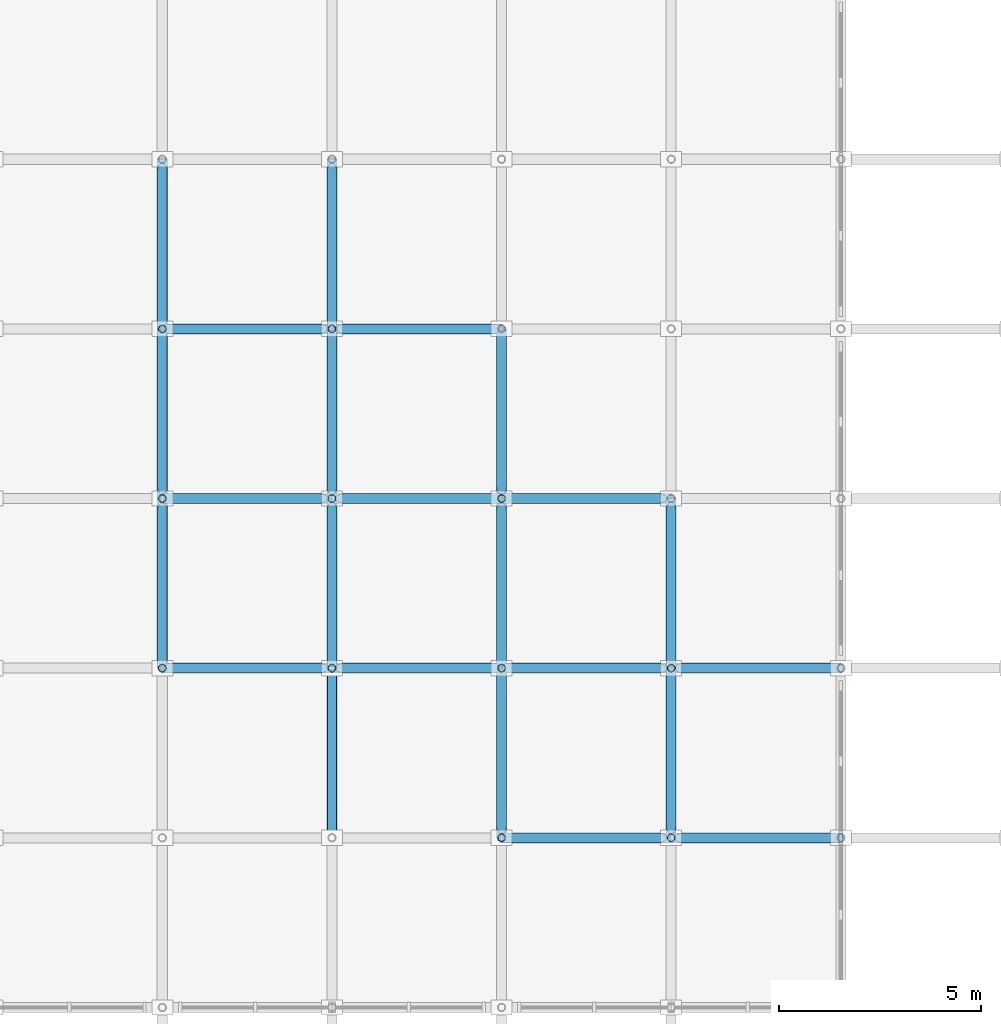
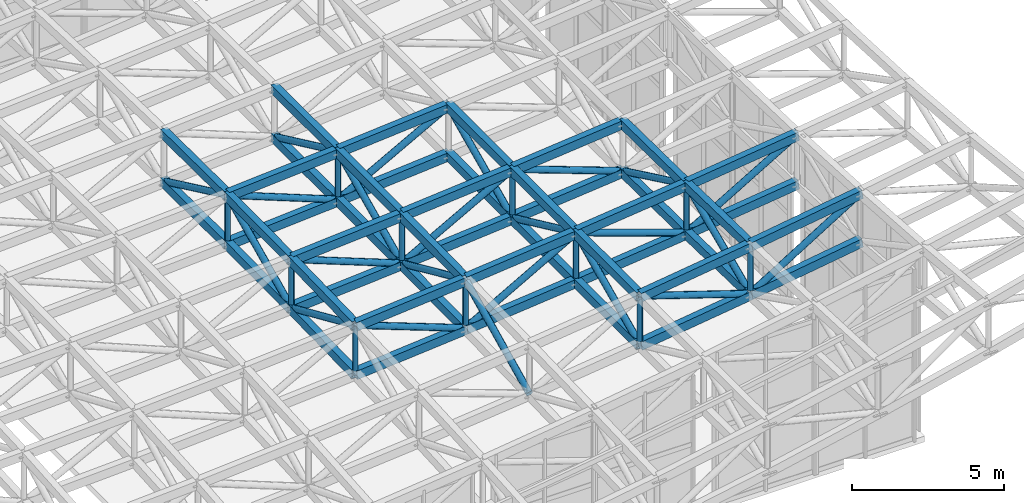
# One storey, part 48 of 111: 78 members.
"""IFC4 building model written with IfcOpenShell, lengths in metres."""

from ifc_helpers import new_model, si_unit, direction, frame, origin, origin_2d, place, context, subcontext, project, spatial, hollow_rectangle, hollow_circle, extrude, material, material_profile, profile_set, type_object, element, save


model = new_model("IFC4")

# Units and contexts
model_context = context("Model", 3, precision=1e-05, world=origin(), true_north=direction((0.0, 1.0)))
body_context = subcontext(model_context, "Body", "Model", "MODEL_VIEW")
ifc_project = project(units=[si_unit("LENGTHUNIT", "METRE"), si_unit("AREAUNIT", "SQUARE_METRE"), si_unit("VOLUMEUNIT", "CUBIC_METRE"), si_unit("PLANEANGLEUNIT", "RADIAN"), si_unit("MASSUNIT", "GRAM", prefix="KILO")], contexts=[model_context])

# Site, building, storey
site_placement = place(None, origin())
site = spatial("IfcSite", under=ifc_project, at=site_placement, CompositionType="ELEMENT")
building_placement = place(site_placement, origin())
building = spatial("IfcBuilding", under=site, at=building_placement, Name="Cumbredor Promenade Congress Hotel", CompositionType="ELEMENT")
storey_placement = place(building_placement, frame((0.0, 0.0, 15.1201171875)))
storey = spatial("IfcBuildingStorey", under=building, at=storey_placement, Name="L04", CompositionType="ELEMENT", Elevation=15.1201171875)

# Members
ifc_material = material(Name="Steel ASTM A500 Grade C", Category="steel")
ifc_material_profile_1 = material_profile(ifc_material, hollow_rectangle(XDim=0.25, YDim=0.35009765625, WallThickness=0.01611328125, at=origin_2d()), Name="HSS 350x250x16")
ifc_profile_set_1 = profile_set([ifc_material_profile_1], Name="Steel ASTM A500 Grade C")
member_type_1 = type_object("IfcMemberType", Name="Forum Roof Truss Chord", PredefinedType="CHORD", material=ifc_profile_set_1)
for number, where, z_axis, x_axis, name in (
    (1, (168.0, 88.199951171875, 6.02587890625), (0.99078279409, 0.0, 0.135460159955), (0.0, 1.0, 0.0), "Pre-Function and Breakout Meeting Forum X Top Chord 20.3"),
    (2, (168.0, 88.199951171875, 4.07568359375), (0.990775062808, 0.0, 0.135516696087), (0.0, 1.0, 0.0), "Pre-Function and Breakout Meeting Forum X Bottom Chord 20.3"),
):
    element("IfcMember", number, at=place(storey_placement, frame(where, z_axis=z_axis, x_axis=x_axis)), inside=storey, type_object=member_type_1, Name=name, PredefinedType="CHORD", context=body_context, shape_type="SweptSolid", body=[
        extrude(hollow_rectangle(XDim=0.25, YDim=0.35009765625, WallThickness=0.01611328125, at=origin_2d()), origin(), (0.0, 0.0, 1.0), 4.239013671875),
    ])
for number, where, z_axis, x_axis, name in (
    (3, (172.199951171875, 88.199951171875, 6.60009765625), (0.988523328552, 0.0, 0.151068292203), (0.0, 1.0, 0.0), "Pre-Function and Breakout Meeting Forum X Top Chord 21.3"),
    (4, (172.199951171875, 88.199951171875, 4.650146484375), (0.988523328552, 0.0, 0.151068292203), (0.0, 1.0, 0.0), "Pre-Function and Breakout Meeting Forum X Bottom Chord 21.3"),
):
    element("IfcMember", number, at=place(storey_placement, frame(where, z_axis=z_axis, x_axis=x_axis)), inside=storey, type_object=member_type_1, Name=name, PredefinedType="CHORD", context=body_context, shape_type="SweptSolid", body=[
        extrude(hollow_rectangle(XDim=0.25, YDim=0.35009765625, WallThickness=0.01611328125, at=origin_2d()), origin(), (0.0, 0.0, 1.0), 4.248779296875),
    ])
for number, where, z_axis, x_axis, name in (
    (5, (159.60009765625, 92.39990234375, 5.24560546875), (0.996294936381, 0.0, 0.086002324044), (0.0, 1.0, 0.0), "Pre-Function and Breakout Meeting Forum X Top Chord 18.4"),
    (6, (159.60009765625, 92.39990234375, 3.295654296875), (0.996294936381, 0.0, 0.086002324044), (0.0, 1.0, 0.0), "Pre-Function and Breakout Meeting Forum X Bottom Chord 18.4"),
):
    element("IfcMember", number, at=place(storey_placement, frame(where, z_axis=z_axis, x_axis=x_axis)), inside=storey, type_object=member_type_1, Name=name, PredefinedType="CHORD", context=body_context, shape_type="SweptSolid", body=[
        extrude(hollow_rectangle(XDim=0.25, YDim=0.35009765625, WallThickness=0.01611328125, at=origin_2d()), origin(), (0.0, 0.0, 1.0), 4.215576171875),
    ])
for number, where, z_axis, x_axis, name in (
    (7, (163.800048828125, 92.39990234375, 5.608154296875), (0.99507890994, 0.0, 0.099085634641), (0.0, 1.0, 0.0), "Pre-Function and Breakout Meeting Forum X Top Chord 19.4"),
    (8, (163.800048828125, 92.39990234375, 3.658203125), (0.995084611563, 0.0, 0.099028358716), (0.0, 1.0, 0.0), "Pre-Function and Breakout Meeting Forum X Bottom Chord 19.4"),
):
    element("IfcMember", number, at=place(storey_placement, frame(where, z_axis=z_axis, x_axis=x_axis)), inside=storey, type_object=member_type_1, Name=name, PredefinedType="CHORD", context=body_context, shape_type="SweptSolid", body=[
        extrude(hollow_rectangle(XDim=0.25, YDim=0.35009765625, WallThickness=0.01611328125, at=origin_2d()), origin(), (0.0, 0.0, 1.0), 4.220703125),
    ])
for number, where, z_axis, x_axis, name in (
    (9, (168.0, 92.39990234375, 6.0263671875), (0.993701360609, 0.0, 0.112060724268), (0.0, 1.0, 0.0), "Pre-Function and Breakout Meeting Forum X Top Chord 20.4"),
    (10, (168.0, 92.39990234375, 4.076171875), (0.993701360609, 0.0, 0.112060724268), (0.0, 1.0, 0.0), "Pre-Function and Breakout Meeting Forum X Bottom Chord 20.4"),
):
    element("IfcMember", number, at=place(storey_placement, frame(where, z_axis=z_axis, x_axis=x_axis)), inside=storey, type_object=member_type_1, Name=name, PredefinedType="CHORD", context=body_context, shape_type="SweptSolid", body=[
        extrude(hollow_rectangle(XDim=0.25, YDim=0.35009765625, WallThickness=0.01611328125, at=origin_2d()), origin(), (0.0, 0.0, 1.0), 4.2265625),
    ])
for number, where, z_axis, x_axis, name in (
    (11, (172.199951171875, 92.39990234375, 6.5), (0.992159418493, 0.0, 0.124978751373), (0.0, 1.0, 0.0), "Pre-Function and Breakout Meeting Forum X Top Chord 21.4"),
    (12, (172.199951171875, 92.39990234375, 4.5498046875), (0.992152265457, 0.0, 0.125035523543), (0.0, 1.0, 0.0), "Pre-Function and Breakout Meeting Forum X Bottom Chord 21.4"),
):
    element("IfcMember", number, at=place(storey_placement, frame(where, z_axis=z_axis, x_axis=x_axis)), inside=storey, type_object=member_type_1, Name=name, PredefinedType="CHORD", context=body_context, shape_type="SweptSolid", body=[
        extrude(hollow_rectangle(XDim=0.25, YDim=0.35009765625, WallThickness=0.01611328125, at=origin_2d()), origin(), (0.0, 0.0, 1.0), 4.233154296875),
    ])
for number, where, z_axis, x_axis, name in (
    (13, (159.60009765625, 96.60009765625, 5.345703125), (0.997178629164, 0.0, 0.075065181931), (0.0, 1.0, 0.0), "Pre-Function and Breakout Meeting Forum X Top Chord 18.5"),
    (14, (159.60009765625, 96.60009765625, 3.395751953125), (0.997182966423, 0.0, 0.075007542786), (0.0, 1.0, 0.0), "Pre-Function and Breakout Meeting Forum X Bottom Chord 18.5"),
):
    element("IfcMember", number, at=place(storey_placement, frame(where, z_axis=z_axis, x_axis=x_axis)), inside=storey, type_object=member_type_1, Name=name, PredefinedType="CHORD", context=body_context, shape_type="SweptSolid", body=[
        extrude(hollow_rectangle(XDim=0.25, YDim=0.35009765625, WallThickness=0.01611328125, at=origin_2d()), origin(), (0.0, 0.0, 1.0), 4.2119140625),
    ])
for number, where, z_axis, x_axis, name in (
    (15, (163.800048828125, 96.60009765625, 5.661865234375), (0.996255133542, 0.0, 0.086462181851), (0.0, 1.0, 0.0), "Pre-Function and Breakout Meeting Forum X Top Chord 19.5"),
    (16, (163.800048828125, 96.60009765625, 3.711669921875), (0.996250143488, 0.0, 0.086519660197), (0.0, 1.0, 0.0), "Pre-Function and Breakout Meeting Forum X Bottom Chord 19.5"),
):
    element("IfcMember", number, at=place(storey_placement, frame(where, z_axis=z_axis, x_axis=x_axis)), inside=storey, type_object=member_type_1, Name=name, PredefinedType="CHORD", context=body_context, shape_type="SweptSolid", body=[
        extrude(hollow_rectangle(XDim=0.25, YDim=0.35009765625, WallThickness=0.01611328125, at=origin_2d()), origin(), (0.0, 0.0, 1.0), 4.2158203125),
    ])
for number, where, z_axis, x_axis, name in (
    (17, (168.0, 96.60009765625, 6.0263671875), (0.995192328225, 0.0, 0.097939929761), (0.0, 1.0, 0.0), "Pre-Function and Breakout Meeting Forum X Top Chord 20.5"),
    (18, (168.0, 96.60009765625, 4.076416015625), (0.995192328225, 0.0, 0.097939929761), (0.0, 1.0, 0.0), "Pre-Function and Breakout Meeting Forum X Bottom Chord 20.5"),
):
    element("IfcMember", number, at=place(storey_placement, frame(where, z_axis=z_axis, x_axis=x_axis)), inside=storey, type_object=member_type_1, Name=name, PredefinedType="CHORD", context=body_context, shape_type="SweptSolid", body=[
        extrude(hollow_rectangle(XDim=0.25, YDim=0.35009765625, WallThickness=0.01611328125, at=origin_2d()), origin(), (0.0, 0.0, 1.0), 4.22021484375),
    ])
for number, where, z_axis, x_axis, name in (
    (19, (159.60009765625, 100.800048828125, 5.37939453125), (0.997449567716, 0.0, 0.071374784506), (0.0, 1.0, 0.0), "Pre-Function and Breakout Meeting Forum X Top Chord 18.6"),
    (20, (159.60009765625, 100.800048828125, 3.42919921875), (0.997445438228, 0.0, 0.071432469912), (0.0, 1.0, 0.0), "Pre-Function and Breakout Meeting Forum X Bottom Chord 18.6"),
):
    element("IfcMember", number, at=place(storey_placement, frame(where, z_axis=z_axis, x_axis=x_axis)), inside=storey, type_object=member_type_1, Name=name, PredefinedType="CHORD", context=body_context, shape_type="SweptSolid", body=[
        extrude(hollow_rectangle(XDim=0.25, YDim=0.35009765625, WallThickness=0.01611328125, at=origin_2d()), origin(), (0.0, 0.0, 1.0), 4.210693359375),
    ])
for number, where, z_axis, x_axis, name in (
    (21, (163.800048828125, 100.800048828125, 5.679931640625), (0.9966105758, 0.0, 0.082263966613), (0.0, 1.0, 0.0), "Pre-Function and Breakout Meeting Forum X Top Chord 19.6"),
    (22, (163.800048828125, 100.800048828125, 3.72998046875), (0.9966105758, 0.0, 0.082263966613), (0.0, 1.0, 0.0), "Pre-Function and Breakout Meeting Forum X Bottom Chord 19.6"),
):
    element("IfcMember", number, at=place(storey_placement, frame(where, z_axis=z_axis, x_axis=x_axis)), inside=storey, type_object=member_type_1, Name=name, PredefinedType="CHORD", context=body_context, shape_type="SweptSolid", body=[
        extrude(hollow_rectangle(XDim=0.25, YDim=0.35009765625, WallThickness=0.01611328125, at=origin_2d()), origin(), (0.0, 0.0, 1.0), 4.21435546875),
    ])
for number, where, z_axis, x_axis, name in (
    (23, (159.60009765625, 92.39990234375, 5.24560546875), (0.0, 0.999716146727, 0.023824902357), (-1.0, 0.0, 0.0), "Pre-Function and Breakout Meeting Forum Y Top Chord 18.4"),
    (24, (159.60009765625, 92.39990234375, 3.295654296875), (0.0, 0.999716146727, 0.023824902357), (-1.0, 0.0, 0.0), "Pre-Function and Breakout Meeting Forum Y Bottom Chord 18.4"),
):
    element("IfcMember", number, at=place(storey_placement, frame(where, z_axis=z_axis, x_axis=x_axis)), inside=storey, type_object=member_type_1, Name=name, PredefinedType="CHORD", context=body_context, shape_type="SweptSolid", body=[
        extrude(hollow_rectangle(XDim=0.25, YDim=0.35009765625, WallThickness=0.01611328125, at=origin_2d()), origin(), (0.0, 0.0, 1.0), 4.201416015625),
    ])
for number, where, z_axis, x_axis, name in (
    (25, (159.60009765625, 96.60009765625, 5.345703125), (0.0, 0.999967826461, 0.008021598561), (-1.0, 0.0, 0.0), "Pre-Function and Breakout Meeting Forum Y Top Chord 18.5"),
    (26, (159.60009765625, 96.60009765625, 3.395751953125), (0.0, 0.999968291032, 0.007963474735), (-1.0, 0.0, 0.0), "Pre-Function and Breakout Meeting Forum Y Bottom Chord 18.5"),
    (27, (159.60009765625, 100.800048828125, 5.37939453125), (0.0, 0.999967826461, -0.008021598561), (-1.0, 0.0, 0.0), "Pre-Function and Breakout Meeting Forum Y Top Chord 18.6"),
    (28, (159.60009765625, 100.800048828125, 3.42919921875), (0.0, 0.999968291032, -0.007963474735), (-1.0, 0.0, 0.0), "Pre-Function and Breakout Meeting Forum Y Bottom Chord 18.6"),
):
    element("IfcMember", number, at=place(storey_placement, frame(where, z_axis=z_axis, x_axis=x_axis)), inside=storey, type_object=member_type_1, Name=name, PredefinedType="CHORD", context=body_context, shape_type="SweptSolid", body=[
        extrude(hollow_rectangle(XDim=0.25, YDim=0.35009765625, WallThickness=0.01611328125, at=origin_2d()), origin(), (0.0, 0.0, 1.0), 4.2001953125),
    ])
for number, where, z_axis, x_axis, name in (
    (29, (163.800048828125, 92.39990234375, 5.608154296875), (0.0, 0.999918247087, 0.012786678351), (-1.0, 0.0, 0.0), "Pre-Function and Breakout Meeting Forum Y Top Chord 19.4"),
    (30, (163.800048828125, 92.39990234375, 3.658203125), (0.0, 0.999918988516, 0.012728566524), (-1.0, 0.0, 0.0), "Pre-Function and Breakout Meeting Forum Y Bottom Chord 19.4"),
):
    element("IfcMember", number, at=place(storey_placement, frame(where, z_axis=z_axis, x_axis=x_axis)), inside=storey, type_object=member_type_1, Name=name, PredefinedType="CHORD", context=body_context, shape_type="SweptSolid", body=[
        extrude(hollow_rectangle(XDim=0.25, YDim=0.35009765625, WallThickness=0.01611328125, at=origin_2d()), origin(), (0.0, 0.0, 1.0), 4.200439453125),
    ])
for number, where, z_axis, x_axis, name in (
    (31, (163.800048828125, 96.60009765625, 5.661865234375), (0.0, 0.999990748353, 0.00430153551), (-1.0, 0.0, 0.0), "Pre-Function and Breakout Meeting Forum Y Top Chord 19.5"),
    (32, (163.800048828125, 96.60009765625, 3.711669921875), (0.0, 0.999990496623, 0.004359663271), (-1.0, 0.0, 0.0), "Pre-Function and Breakout Meeting Forum Y Bottom Chord 19.5"),
    (33, (163.800048828125, 100.800048828125, 5.679931640625), (0.0, 0.999990748353, -0.00430153551), (-1.0, 0.0, 0.0), "Pre-Function and Breakout Meeting Forum Y Top Chord 19.6"),
    (34, (163.800048828125, 100.800048828125, 3.72998046875), (0.0, 0.999990496623, -0.004359663271), (-1.0, 0.0, 0.0), "Pre-Function and Breakout Meeting Forum Y Bottom Chord 19.6"),
    (35, (168.0, 88.199951171875, 6.02587890625), (0.0, 0.999999993242, 0.000116258791), (-1.0, 0.0, 0.0), "Pre-Function and Breakout Meeting Forum Y Top Chord 20.3"),
    (36, (168.0, 88.199951171875, 4.07568359375), (0.0, 0.999999993242, 0.000116258791), (-1.0, 0.0, 0.0), "Pre-Function and Breakout Meeting Forum Y Bottom Chord 20.3"),
):
    element("IfcMember", number, at=place(storey_placement, frame(where, z_axis=z_axis, x_axis=x_axis)), inside=storey, type_object=member_type_1, Name=name, PredefinedType="CHORD", context=body_context, shape_type="SweptSolid", body=[
        extrude(hollow_rectangle(XDim=0.25, YDim=0.35009765625, WallThickness=0.01611328125, at=origin_2d()), origin(), (0.0, 0.0, 1.0), 4.199951171875),
    ])
for number, where, z_axis, x_axis, name in (
    (37, (168.0, 92.39990234375, 6.0263671875), (0.0, 1.0, 0.0), (-1.0, 0.0, 0.0), "Pre-Function and Breakout Meeting Forum Y Top Chord 20.4"),
    (38, (168.0, 92.39990234375, 4.076171875), (0.0, 0.999999998311, 5.8126017e-05), (-1.0, 0.0, 0.0), "Pre-Function and Breakout Meeting Forum Y Bottom Chord 20.4"),
):
    element("IfcMember", number, at=place(storey_placement, frame(where, z_axis=z_axis, x_axis=x_axis)), inside=storey, type_object=member_type_1, Name=name, PredefinedType="CHORD", context=body_context, shape_type="SweptSolid", body=[
        extrude(hollow_rectangle(XDim=0.25, YDim=0.35009765625, WallThickness=0.01611328125, at=origin_2d()), origin(), (0.0, 0.0, 1.0), 4.2001953125),
    ])
for number, where, z_axis, x_axis, name in (
    (39, (168.0, 96.60009765625, 6.0263671875), (0.0, 0.99999999831, 5.8129396e-05), (-1.0, 0.0, 0.0), "Pre-Function and Breakout Meeting Forum Y Top Chord 20.5"),
    (40, (168.0, 96.60009765625, 4.076416015625), (0.0, 0.99999999831, 5.8129396e-05), (-1.0, 0.0, 0.0), "Pre-Function and Breakout Meeting Forum Y Bottom Chord 20.5"),
):
    element("IfcMember", number, at=place(storey_placement, frame(where, z_axis=z_axis, x_axis=x_axis)), inside=storey, type_object=member_type_1, Name=name, PredefinedType="CHORD", context=body_context, shape_type="SweptSolid", body=[
        extrude(hollow_rectangle(XDim=0.25, YDim=0.35009765625, WallThickness=0.01611328125, at=origin_2d()), origin(), (0.0, 0.0, 1.0), 4.199951171875),
    ])
for number, where, z_axis, x_axis, name in (
    (41, (172.199951171875, 88.199951171875, 6.60009765625), (0.0, 0.99971611374, -0.023826286498), (-1.0, 0.0, 0.0), "Pre-Function and Breakout Meeting Forum Y Top Chord 21.3"),
    (42, (172.199951171875, 88.199951171875, 4.650146484375), (0.0, 0.999714727834, -0.023884366281), (-1.0, 0.0, 0.0), "Pre-Function and Breakout Meeting Forum Y Bottom Chord 21.3"),
):
    element("IfcMember", number, at=place(storey_placement, frame(where, z_axis=z_axis, x_axis=x_axis)), inside=storey, type_object=member_type_1, Name=name, PredefinedType="CHORD", context=body_context, shape_type="SweptSolid", body=[
        extrude(hollow_rectangle(XDim=0.25, YDim=0.35009765625, WallThickness=0.01611328125, at=origin_2d()), origin(), (0.0, 0.0, 1.0), 4.201171875),
    ])
for number, where, z_axis, x_axis, name in (
    (43, (172.199951171875, 92.39990234375, 6.5), (0.0, 0.999896952393, -0.014355646782), (-1.0, 0.0, 0.0), "Pre-Function and Breakout Meeting Forum Y Top Chord 21.4"),
    (44, (172.199951171875, 92.39990234375, 4.5498046875), (0.0, 0.99989778497, -0.01429753866), (-1.0, 0.0, 0.0), "Pre-Function and Breakout Meeting Forum Y Bottom Chord 21.4"),
):
    element("IfcMember", number, at=place(storey_placement, frame(where, z_axis=z_axis, x_axis=x_axis)), inside=storey, type_object=member_type_1, Name=name, PredefinedType="CHORD", context=body_context, shape_type="SweptSolid", body=[
        extrude(hollow_rectangle(XDim=0.25, YDim=0.35009765625, WallThickness=0.01611328125, at=origin_2d()), origin(), (0.0, 0.0, 1.0), 4.20068359375),
    ])
ifc_material_profile_2 = material_profile(ifc_material, hollow_circle(Radius=0.122314453125, WallThickness=0.012451171875, at=origin_2d()), Name="CHS 244.5x12.5")
ifc_profile_set_2 = profile_set([ifc_material_profile_2], Name="Steel ASTM A500 Grade C")
member_type_2 = type_object("IfcMemberType", Name="Space Frame Web Diagonal D2", PredefinedType="BRACE", material=ifc_profile_set_2)
member_1_placement = place(storey_placement, frame((168.0, 88.199951171875, 6.02587890625), z_axis=(0.950316635251, 0.0, -0.3112849061), x_axis=(0.0, 1.0, 0.0)))
element("IfcMember", 45, at=member_1_placement, inside=storey, type_object=member_type_2, Name="Pre-Function and Breakout Meeting Forum X Web Diagonal 20.3", PredefinedType="BRACE", context=body_context, shape_type="SweptSolid", body=[
    extrude(hollow_circle(Radius=0.122314453125, WallThickness=0.012451171875, at=origin_2d()), origin(), (0.0, 0.0, 1.0), 4.41943359375),
])
member_2_placement = place(storey_placement, frame((172.199951171875, 88.199951171875, 4.650146484375), z_axis=(0.851005438244, 0.0, 0.525156875685), x_axis=(0.0, 1.0, 0.0)))
element("IfcMember", 46, at=member_2_placement, inside=storey, type_object=member_type_2, Name="Pre-Function and Breakout Meeting Forum X Web Diagonal 21.3", PredefinedType="BRACE", context=body_context, shape_type="SweptSolid", body=[
    extrude(hollow_circle(Radius=0.122314453125, WallThickness=0.012451171875, at=origin_2d()), origin(), (0.0, 0.0, 1.0), 4.935302734375),
])
member_3_placement = place(storey_placement, frame((159.60009765625, 92.39990234375, 5.24560546875), z_axis=(0.935416555501, 0.0, -0.353547546583), x_axis=(0.0, 1.0, 0.0)))
element("IfcMember", 47, at=member_3_placement, inside=storey, type_object=member_type_2, Name="Pre-Function and Breakout Meeting Forum X Web Diagonal 18.4", PredefinedType="BRACE", context=body_context, shape_type="SweptSolid", body=[
    extrude(hollow_circle(Radius=0.122314453125, WallThickness=0.012451171875, at=origin_2d()), origin(), (0.0, 0.0, 1.0), 4.489990234375),
])
member_4_placement = place(storey_placement, frame((163.800048828125, 92.39990234375, 3.658203125), z_axis=(0.871070680994, 0.0, 0.491157682128), x_axis=(0.0, 1.0, 0.0)))
element("IfcMember", 48, at=member_4_placement, inside=storey, type_object=member_type_2, Name="Pre-Function and Breakout Meeting Forum X Web Diagonal 19.4", PredefinedType="BRACE", context=body_context, shape_type="SweptSolid", body=[
    extrude(hollow_circle(Radius=0.122314453125, WallThickness=0.012451171875, at=origin_2d()), origin(), (0.0, 0.0, 1.0), 4.821533203125),
])
member_5_placement = place(storey_placement, frame((168.0, 92.39990234375, 6.0263671875), z_axis=(0.943396618832, 0.0, -0.331666729681), x_axis=(0.0, 1.0, 0.0)))
element("IfcMember", 49, at=member_5_placement, inside=storey, type_object=member_type_2, Name="Pre-Function and Breakout Meeting Forum X Web Diagonal 20.4", PredefinedType="BRACE", context=body_context, shape_type="SweptSolid", body=[
    extrude(hollow_circle(Radius=0.122314453125, WallThickness=0.012451171875, at=origin_2d()), origin(), (0.0, 0.0, 1.0), 4.451904296875),
])
member_6_placement = place(storey_placement, frame((172.199951171875, 92.39990234375, 4.5498046875), z_axis=(0.861154655764, 0.0, 0.508343052333), x_axis=(0.0, 1.0, 0.0)))
element("IfcMember", 50, at=member_6_placement, inside=storey, type_object=member_type_2, Name="Pre-Function and Breakout Meeting Forum X Web Diagonal 21.4", PredefinedType="BRACE", context=body_context, shape_type="SweptSolid", body=[
    extrude(hollow_circle(Radius=0.122314453125, WallThickness=0.012451171875, at=origin_2d()), origin(), (0.0, 0.0, 1.0), 4.877197265625),
])
member_7_placement = place(storey_placement, frame((159.60009765625, 96.60009765625, 5.345703125), z_axis=(0.931950777982, 0.0, -0.362584814104), x_axis=(0.0, 1.0, 0.0)))
element("IfcMember", 51, at=member_7_placement, inside=storey, type_object=member_type_2, Name="Pre-Function and Breakout Meeting Forum X Web Diagonal 18.5", PredefinedType="BRACE", context=body_context, shape_type="SweptSolid", body=[
    extrude(hollow_circle(Radius=0.122314453125, WallThickness=0.012451171875, at=origin_2d()), origin(), (0.0, 0.0, 1.0), 4.506591796875),
])
member_8_placement = place(storey_placement, frame((163.800048828125, 96.60009765625, 3.711669921875), z_axis=(0.875799607979, 0.0, 0.482674887127), x_axis=(0.0, 1.0, 0.0)))
element("IfcMember", 52, at=member_8_placement, inside=storey, type_object=member_type_2, Name="Pre-Function and Breakout Meeting Forum X Web Diagonal 19.5", PredefinedType="BRACE", context=body_context, shape_type="SweptSolid", body=[
    extrude(hollow_circle(Radius=0.122314453125, WallThickness=0.012451171875, at=origin_2d()), origin(), (0.0, 0.0, 1.0), 4.795654296875),
])
member_9_placement = place(storey_placement, frame((168.0, 96.60009765625, 6.0263671875), z_axis=(0.939118985478, 0.0, -0.343592099901), x_axis=(0.0, 1.0, 0.0)))
element("IfcMember", 53, at=member_9_placement, inside=storey, type_object=member_type_2, Name="Pre-Function and Breakout Meeting Forum X Web Diagonal 20.5", PredefinedType="BRACE", context=body_context, shape_type="SweptSolid", body=[
    extrude(hollow_circle(Radius=0.122314453125, WallThickness=0.012451171875, at=origin_2d()), origin(), (0.0, 0.0, 1.0), 4.47216796875),
])
member_10_placement = place(storey_placement, frame((159.60009765625, 100.800048828125, 5.37939453125), z_axis=(0.93079423421, 0.0, -0.365543559049), x_axis=(0.0, 1.0, 0.0)))
element("IfcMember", 54, at=member_10_placement, inside=storey, type_object=member_type_2, Name="Pre-Function and Breakout Meeting Forum X Web Diagonal 18.6", PredefinedType="BRACE", context=body_context, shape_type="SweptSolid", body=[
    extrude(hollow_circle(Radius=0.122314453125, WallThickness=0.012451171875, at=origin_2d()), origin(), (0.0, 0.0, 1.0), 4.51220703125),
])
member_11_placement = place(storey_placement, frame((163.800048828125, 100.800048828125, 3.72998046875), z_axis=(0.877390261073, 0.0, 0.47977737522), x_axis=(0.0, 1.0, 0.0)))
element("IfcMember", 55, at=member_11_placement, inside=storey, type_object=member_type_2, Name="Pre-Function and Breakout Meeting Forum X Web Diagonal 19.6", PredefinedType="BRACE", context=body_context, shape_type="SweptSolid", body=[
    extrude(hollow_circle(Radius=0.122314453125, WallThickness=0.012451171875, at=origin_2d()), origin(), (0.0, 0.0, 1.0), 4.786865234375),
])
member_12_placement = place(storey_placement, frame((159.60009765625, 92.39990234375, 5.24560546875), z_axis=(0.0, 0.915173002406, -0.403061255477), x_axis=(-1.0, 0.0, 0.0)))
element("IfcMember", 56, at=member_12_placement, inside=storey, type_object=member_type_2, Name="Pre-Function and Breakout Meeting Forum Y Web Diagonal 18.4", PredefinedType="BRACE", context=body_context, shape_type="SweptSolid", body=[
    extrude(hollow_circle(Radius=0.122314453125, WallThickness=0.012451171875, at=origin_2d()), origin(), (0.0, 0.0, 1.0), 4.589599609375),
])
for number, where, z_axis, x_axis, name in (
    (57, (159.60009765625, 96.60009765625, 3.395751953125), (0.0, 0.904221020881, 0.42706480234), (-1.0, 0.0, 0.0), "Pre-Function and Breakout Meeting Forum Y Web Diagonal 18.5"),
    (58, (159.60009765625, 100.800048828125, 5.37939453125), (0.0, 0.904221020881, -0.42706480234), (-1.0, 0.0, 0.0), "Pre-Function and Breakout Meeting Forum Y Web Diagonal 18.6"),
):
    element("IfcMember", number, at=place(storey_placement, frame(where, z_axis=z_axis, x_axis=x_axis)), inside=storey, type_object=member_type_2, Name=name, PredefinedType="BRACE", context=body_context, shape_type="SweptSolid", body=[
        extrude(hollow_circle(Radius=0.122314453125, WallThickness=0.012451171875, at=origin_2d()), origin(), (0.0, 0.0, 1.0), 4.644775390625),
    ])
member_13_placement = place(storey_placement, frame((163.800048828125, 88.199951171875, 3.568603515625), z_axis=(0.0, 0.899543971059, 0.436830223463), x_axis=(-1.0, 0.0, 0.0)))
element("IfcMember", 59, at=member_13_placement, inside=storey, type_object=member_type_2, Name="Pre-Function and Breakout Meeting Forum Y Web Diagonal 19.3", PredefinedType="BRACE", context=body_context, shape_type="SweptSolid", body=[
    extrude(hollow_circle(Radius=0.122314453125, WallThickness=0.012451171875, at=origin_2d()), origin(), (0.0, 0.0, 1.0), 4.6689453125),
])
member_14_placement = place(storey_placement, frame((163.800048828125, 92.39990234375, 5.608154296875), z_axis=(0.0, 0.911401366309, -0.411518589484), x_axis=(-1.0, 0.0, 0.0)))
element("IfcMember", 60, at=member_14_placement, inside=storey, type_object=member_type_2, Name="Pre-Function and Breakout Meeting Forum Y Web Diagonal 19.4", PredefinedType="BRACE", context=body_context, shape_type="SweptSolid", body=[
    extrude(hollow_circle(Radius=0.122314453125, WallThickness=0.012451171875, at=origin_2d()), origin(), (0.0, 0.0, 1.0), 4.6083984375),
])
for number, where, z_axis, x_axis, name in (
    (61, (163.800048828125, 96.60009765625, 3.711669921875), (0.0, 0.905497492639, 0.424351612257), (-1.0, 0.0, 0.0), "Pre-Function and Breakout Meeting Forum Y Web Diagonal 19.5"),
    (62, (163.800048828125, 100.800048828125, 5.679931640625), (0.0, 0.905497492639, -0.424351612257), (-1.0, 0.0, 0.0), "Pre-Function and Breakout Meeting Forum Y Web Diagonal 19.6"),
):
    element("IfcMember", number, at=place(storey_placement, frame(where, z_axis=z_axis, x_axis=x_axis)), inside=storey, type_object=member_type_2, Name=name, PredefinedType="BRACE", context=body_context, shape_type="SweptSolid", body=[
        extrude(hollow_circle(Radius=0.122314453125, WallThickness=0.012451171875, at=origin_2d()), origin(), (0.0, 0.0, 1.0), 4.63818359375),
    ])
for number, where, z_axis, x_axis, name in (
    (63, (168.0, 88.199951171875, 4.07568359375), (0.0, 0.906950706517, 0.421236769463), (-1.0, 0.0, 0.0), "Pre-Function and Breakout Meeting Forum Y Web Diagonal 20.3"),
    (64, (168.0, 92.39990234375, 6.0263671875), (0.0, 0.907020474303, -0.421086522219), (-1.0, 0.0, 0.0), "Pre-Function and Breakout Meeting Forum Y Web Diagonal 20.4"),
):
    element("IfcMember", number, at=place(storey_placement, frame(where, z_axis=z_axis, x_axis=x_axis)), inside=storey, type_object=member_type_2, Name=name, PredefinedType="BRACE", context=body_context, shape_type="SweptSolid", body=[
        extrude(hollow_circle(Radius=0.122314453125, WallThickness=0.012451171875, at=origin_2d()), origin(), (0.0, 0.0, 1.0), 4.630859375),
    ])
member_15_placement = place(storey_placement, frame((168.0, 96.60009765625, 4.076416015625), z_axis=(0.0, 0.90699098694, 0.421150032185), x_axis=(-1.0, 0.0, 0.0)))
element("IfcMember", 65, at=member_15_placement, inside=storey, type_object=member_type_2, Name="Pre-Function and Breakout Meeting Forum Y Web Diagonal 20.5", PredefinedType="BRACE", context=body_context, shape_type="SweptSolid", body=[
    extrude(hollow_circle(Radius=0.122314453125, WallThickness=0.012451171875, at=origin_2d()), origin(), (0.0, 0.0, 1.0), 4.630615234375),
])
member_16_placement = place(storey_placement, frame((172.199951171875, 88.199951171875, 4.650146484375), z_axis=(0.0, 0.915164359743, 0.403080878554), x_axis=(-1.0, 0.0, 0.0)))
element("IfcMember", 66, at=member_16_placement, inside=storey, type_object=member_type_2, Name="Pre-Function and Breakout Meeting Forum Y Web Diagonal 21.3", PredefinedType="BRACE", context=body_context, shape_type="SweptSolid", body=[
    extrude(hollow_circle(Radius=0.122314453125, WallThickness=0.012451171875, at=origin_2d()), origin(), (0.0, 0.0, 1.0), 4.58935546875),
])
member_17_placement = place(storey_placement, frame((172.199951171875, 92.39990234375, 6.5), z_axis=(0.0, 0.902011740274, -0.431711501361), x_axis=(-1.0, 0.0, 0.0)))
element("IfcMember", 67, at=member_17_placement, inside=storey, type_object=member_type_2, Name="Pre-Function and Breakout Meeting Forum Y Web Diagonal 21.4", PredefinedType="BRACE", context=body_context, shape_type="SweptSolid", body=[
    extrude(hollow_circle(Radius=0.122314453125, WallThickness=0.012451171875, at=origin_2d()), origin(), (0.0, 0.0, 1.0), 4.656494140625),
])
ifc_material_profile_3 = material_profile(ifc_material, hollow_circle(Radius=0.096923828125, WallThickness=0.010009765625, at=origin_2d()), Name="CHS 193.7x10")
ifc_profile_set_3 = profile_set([ifc_material_profile_3], Name="Steel ASTM A500 Grade C")
member_type_3 = type_object("IfcMemberType", Name="Space Frame Web Post P1", PredefinedType="BRACE", material=ifc_profile_set_3)
for number, where, z_axis, x_axis, name in (
    (68, (159.60009765625, 92.39990234375, 3.295654296875), (0.0, 0.0, 1.0), (1.0, 0.0, 0.0), "Pre-Function and Breakout Meeting Forum Space Frame Web Post 18.4"),
    (69, (159.60009765625, 96.60009765625, 3.395751953125), (0.0, 0.0, 1.0), (1.0, 0.0, 0.0), "Pre-Function and Breakout Meeting Forum Space Frame Web Post 18.5"),
):
    element("IfcMember", number, at=place(storey_placement, frame(where, z_axis=z_axis, x_axis=x_axis)), inside=storey, type_object=member_type_3, Name=name, PredefinedType="BRACE", context=body_context, shape_type="SweptSolid", body=[
        extrude(hollow_circle(Radius=0.096923828125, WallThickness=0.010009765625, at=origin_2d()), origin(), (0.0, 0.0, 1.0), 1.949951171875),
    ])
member_18_placement = place(storey_placement, frame((159.60009765625, 100.800048828125, 3.42919921875), z_axis=(0.0, 0.0, 1.0), x_axis=(1.0, 0.0, 0.0)))
element("IfcMember", 70, at=member_18_placement, inside=storey, type_object=member_type_3, Name="Pre-Function and Breakout Meeting Forum Space Frame Web Post 18.6", PredefinedType="BRACE", context=body_context, shape_type="SweptSolid", body=[
    extrude(hollow_circle(Radius=0.096923828125, WallThickness=0.010009765625, at=origin_2d()), origin(), (0.0, 0.0, 1.0), 1.9501953125),
])
member_19_placement = place(storey_placement, frame((163.800048828125, 92.39990234375, 3.658203125), z_axis=(0.0, 0.0, 1.0), x_axis=(1.0, 0.0, 0.0)))
element("IfcMember", 71, at=member_19_placement, inside=storey, type_object=member_type_3, Name="Pre-Function and Breakout Meeting Forum Space Frame Web Post 19.4", PredefinedType="BRACE", context=body_context, shape_type="SweptSolid", body=[
    extrude(hollow_circle(Radius=0.096923828125, WallThickness=0.010009765625, at=origin_2d()), origin(), (0.0, 0.0, 1.0), 1.949951171875),
])
member_20_placement = place(storey_placement, frame((163.800048828125, 96.60009765625, 3.711669921875), z_axis=(0.0, 0.0, 1.0), x_axis=(1.0, 0.0, 0.0)))
element("IfcMember", 72, at=member_20_placement, inside=storey, type_object=member_type_3, Name="Pre-Function and Breakout Meeting Forum Space Frame Web Post 19.5", PredefinedType="BRACE", context=body_context, shape_type="SweptSolid", body=[
    extrude(hollow_circle(Radius=0.096923828125, WallThickness=0.010009765625, at=origin_2d()), origin(), (0.0, 0.0, 1.0), 1.9501953125),
])
member_21_placement = place(storey_placement, frame((163.800048828125, 100.800048828125, 3.72998046875), z_axis=(0.0, 0.0, 1.0), x_axis=(1.0, 0.0, 0.0)))
element("IfcMember", 73, at=member_21_placement, inside=storey, type_object=member_type_3, Name="Pre-Function and Breakout Meeting Forum Space Frame Web Post 19.6", PredefinedType="BRACE", context=body_context, shape_type="SweptSolid", body=[
    extrude(hollow_circle(Radius=0.096923828125, WallThickness=0.010009765625, at=origin_2d()), origin(), (0.0, 0.0, 1.0), 1.949951171875),
])
for number, where, z_axis, x_axis, name in (
    (74, (168.0, 88.199951171875, 4.07568359375), (0.0, 0.0, 1.0), (1.0, 0.0, 0.0), "Pre-Function and Breakout Meeting Forum Space Frame Web Post 20.3"),
    (75, (168.0, 92.39990234375, 4.076171875), (0.0, 0.0, 1.0), (1.0, 0.0, 0.0), "Pre-Function and Breakout Meeting Forum Space Frame Web Post 20.4"),
):
    element("IfcMember", number, at=place(storey_placement, frame(where, z_axis=z_axis, x_axis=x_axis)), inside=storey, type_object=member_type_3, Name=name, PredefinedType="BRACE", context=body_context, shape_type="SweptSolid", body=[
        extrude(hollow_circle(Radius=0.096923828125, WallThickness=0.010009765625, at=origin_2d()), origin(), (0.0, 0.0, 1.0), 1.9501953125),
    ])
for number, where, z_axis, x_axis, name in (
    (76, (168.0, 96.60009765625, 4.076416015625), (0.0, 0.0, 1.0), (1.0, 0.0, 0.0), "Pre-Function and Breakout Meeting Forum Space Frame Web Post 20.5"),
    (77, (172.199951171875, 88.199951171875, 4.650146484375), (0.0, 0.0, 1.0), (1.0, 0.0, 0.0), "Pre-Function and Breakout Meeting Forum Space Frame Web Post 21.3"),
):
    element("IfcMember", number, at=place(storey_placement, frame(where, z_axis=z_axis, x_axis=x_axis)), inside=storey, type_object=member_type_3, Name=name, PredefinedType="BRACE", context=body_context, shape_type="SweptSolid", body=[
        extrude(hollow_circle(Radius=0.096923828125, WallThickness=0.010009765625, at=origin_2d()), origin(), (0.0, 0.0, 1.0), 1.949951171875),
    ])
member_22_placement = place(storey_placement, frame((172.199951171875, 92.39990234375, 4.5498046875), z_axis=(0.0, 0.0, 1.0), x_axis=(1.0, 0.0, 0.0)))
element("IfcMember", 78, at=member_22_placement, inside=storey, type_object=member_type_3, Name="Pre-Function and Breakout Meeting Forum Space Frame Web Post 21.4", PredefinedType="BRACE", context=body_context, shape_type="SweptSolid", body=[
    extrude(hollow_circle(Radius=0.096923828125, WallThickness=0.010009765625, at=origin_2d()), origin(), (0.0, 0.0, 1.0), 1.9501953125),
])

save(model, "model.ifc")
